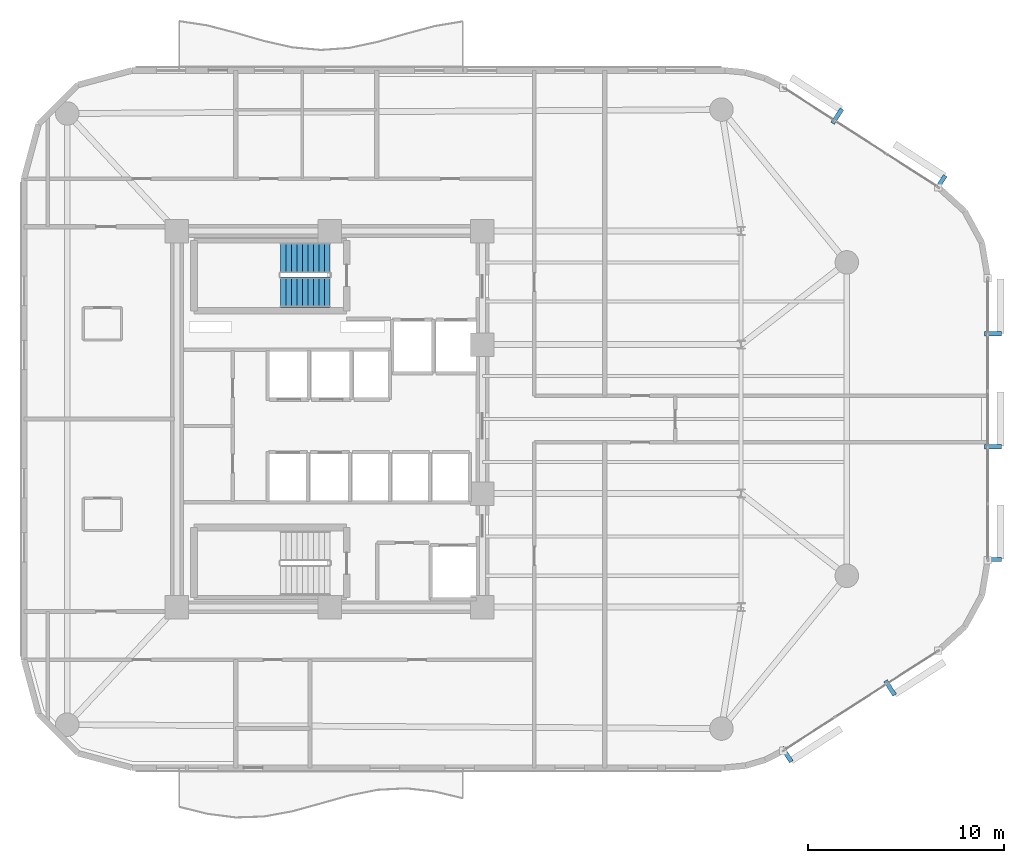
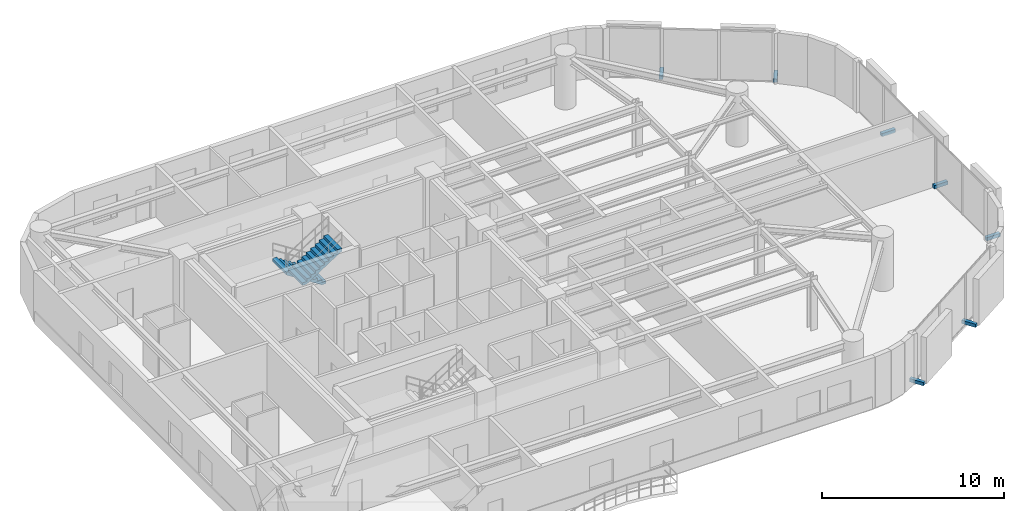
# One storey, part 13 of 15: 7 discrete accessories, 2 stair flights, 1 element without a shape of its own.
"""IFC4 building model written with IfcOpenShell, lengths in metres."""

from ifc_helpers import new_model, si_unit, direction, frame, origin, origin_2d, place, context, subcontext, project, spatial, polyline, rectangle, outline, extrude, material, type_object, element, aggregate, save


model = new_model("IFC4")

# Units and contexts
model_context = context("Model", 3, precision=1e-05, world=origin(), true_north=direction((0.0, 1.0)))
body_context = subcontext(model_context, "Body", "Model", "MODEL_VIEW")
ifc_project = project(units=[si_unit("LENGTHUNIT", "METRE"), si_unit("AREAUNIT", "SQUARE_METRE"), si_unit("VOLUMEUNIT", "CUBIC_METRE"), si_unit("PLANEANGLEUNIT", "RADIAN"), si_unit("MASSUNIT", "GRAM", prefix="KILO")], contexts=[model_context])

# Site, building, storey
site_placement = place(None, origin())
site = spatial("IfcSite", under=ifc_project, at=site_placement, CompositionType="ELEMENT")
building_placement = place(site_placement, origin())
building = spatial("IfcBuilding", under=site, at=building_placement, Name="An Khanh Terracotta Commons", CompositionType="ELEMENT")
storey_placement = place(building_placement, frame((0.0, 0.0, 179.800048828125)))
storey = spatial("IfcBuildingStorey", under=building, at=storey_placement, Name="L47", CompositionType="ELEMENT", Elevation=179.800048828125)

# Stair, stair flights
ifc_material_1 = material(Name="Precast concrete C40/50", Category="concrete")
stair_type = type_object("IfcStairType", Name="STAIR-CORE-1550", PredefinedType="HALF_TURN_STAIR", material=ifc_material_1)
stair_placement = place(storey_placement, origin())
stair = element("IfcStair", 1, at=stair_placement, inside=storey, type_object=stair_type, Name="L47 Core Smokeproof Exit Stair ST-01", PredefinedType="HALF_TURN_STAIR")
stair_flight_type = type_object("IfcStairFlightType", Name="FLIGHT-CORE-1550", PredefinedType="STRAIGHT", material=ifc_material_1)
stair_flight_1_placement = place(storey_placement, frame((29.409912109375, 32.22509765625, 0.0), z_axis=(0.0, 0.0, 1.0), x_axis=(-1.0, 0.0, 0.0)))
stair_flight_1 = element("IfcStairFlight", 2, at=stair_flight_1_placement, type_object=stair_flight_type, Name="ST-01 flight 1", NumberOfRisers=10, NumberOfTreads=9, PredefinedType="STRAIGHT", RiserHeight=0.18, TreadLength=0.28, context=body_context, shape_type="SweptSolid", body=[
    extrude(outline(polyline([(0.0, 0.0), (0.0, 0.179931640625), (0.280029296875, 0.179931640625), (0.280029296875, 0.360107421875), (0.56005859375, 0.360107421875), (0.56005859375, 0.5400390625), (0.840087890625, 0.5400390625), (0.840087890625, 0.719970703125), (1.1201171875, 0.719970703125), (1.1201171875, 0.89990234375), (1.39990234375, 0.89990234375), (1.39990234375, 1.080078125), (1.679931640625, 1.080078125), (1.679931640625, 1.260009765625), (1.9599609375, 1.260009765625), (1.9599609375, 1.43994140625), (2.239990234375, 1.43994140625), (2.239990234375, 1.6201171875), (2.52001953125, 1.6201171875), (2.52001953125, 1.800048828125), (2.52001953125, 1.44189453125), (0.277099609375, 0.0), (0.0, 0.0)])), frame((0.0, 0.77490234375, 0.0), z_axis=(0.0, -1.0, 0.0), x_axis=(1.0, 0.0, 0.0)), (0.0, 0.0, 1.0), 1.550048828125),
])
stair_flight_2_placement = place(storey_placement, frame((26.889892578125, 30.47509765625, 1.800048828125), z_axis=(0.0, 0.0, 1.0), x_axis=(1.0, 0.0, 0.0)))
stair_flight_2 = element("IfcStairFlight", 3, at=stair_flight_2_placement, type_object=stair_flight_type, Name="ST-01 flight 2", NumberOfRisers=10, NumberOfTreads=9, PredefinedType="STRAIGHT", RiserHeight=0.18, TreadLength=0.28, context=body_context, shape_type="SweptSolid", body=[
    extrude(outline(polyline([(0.0, 0.0), (0.0, 0.179931640625), (0.280029296875, 0.179931640625), (0.280029296875, 0.360107421875), (0.56005859375, 0.360107421875), (0.56005859375, 0.5400390625), (0.840087890625, 0.5400390625), (0.840087890625, 0.719970703125), (1.1201171875, 0.719970703125), (1.1201171875, 0.89990234375), (1.39990234375, 0.89990234375), (1.39990234375, 1.080078125), (1.679931640625, 1.080078125), (1.679931640625, 1.260009765625), (1.9599609375, 1.260009765625), (1.9599609375, 1.43994140625), (2.239990234375, 1.43994140625), (2.239990234375, 1.6201171875), (2.52001953125, 1.6201171875), (2.52001953125, 1.800048828125), (2.52001953125, 1.44189453125), (0.277099609375, 0.0), (0.0, 0.0)])), frame((0.0, 0.77490234375, 0.0), z_axis=(0.0, -1.0, 0.0), x_axis=(1.0, 0.0, 0.0)), (0.0, 0.0, 1.0), 1.550048828125),
])
aggregate(stair, [stair_flight_1, stair_flight_2])

# Discrete accessories
ifc_material_2 = material(Name="Stainless Steel Grade 316L", Category="steel")
discrete_accessory_type = type_object("IfcDiscreteAccessoryType", Name="Stainless Outrigger Facade Bracket", PredefinedType="BRACKET", material=ifc_material_2)
for number, where, z_axis, x_axis, name in (
    (4, (52.73291015625, 6.8720703125, 0.06982421875), (0.0, 0.0, 1.0), (0.840702081986, 0.541497931062, 0.0), "L47 Terracotta Screen Outrigger Bracket 1"),
    (5, (58.011962890625, 10.27197265625, 0.06982421875), (0.0, 0.0, 1.0), (0.840702081986, 0.541497931062, 0.0), "L47 Terracotta Screen Outrigger Bracket 3"),
    (6, (63.264892578125, 16.8349609375, 0.06982421875), (0.0, 0.0, 1.0), (0.0, 1.0, 0.0), "L47 Terracotta Screen Outrigger Bracket 1"),
    (7, (63.264892578125, 22.594970703125, 0.06982421875), (0.0, 0.0, 1.0), (0.0, 1.0, 0.0), "L47 Terracotta Screen Outrigger Bracket 3"),
    (8, (63.264892578125, 28.35498046875, 0.06982421875), (0.0, 0.0, 1.0), (0.0, 1.0, 0.0), "L47 Terracotta Screen Outrigger Bracket 5"),
    (9, (60.592041015625, 36.06591796875, 0.06982421875), (0.0, 0.0, 1.0), (-0.840702081986, 0.541497931062, 0.0), "L47 Terracotta Screen Outrigger Bracket 1"),
    (10, (55.31298828125, 39.466064453125, 0.06982421875), (0.0, 0.0, 1.0), (-0.840702081986, 0.541497931062, 0.0), "L47 Terracotta Screen Outrigger Bracket 3"),
):
    element("IfcDiscreteAccessory", number, at=place(storey_placement, frame(where, z_axis=z_axis, x_axis=x_axis)), inside=storey, type_object=discrete_accessory_type, Name=name, PredefinedType="BRACKET", context=body_context, shape_type="SweptSolid", body=[
        extrude(rectangle(XDim=0.219970703125, YDim=0.8701171875, at=origin_2d()), origin(), (0.0, 0.0, 1.0), 0.219970703125),
    ])

save(model, "model.ifc")
